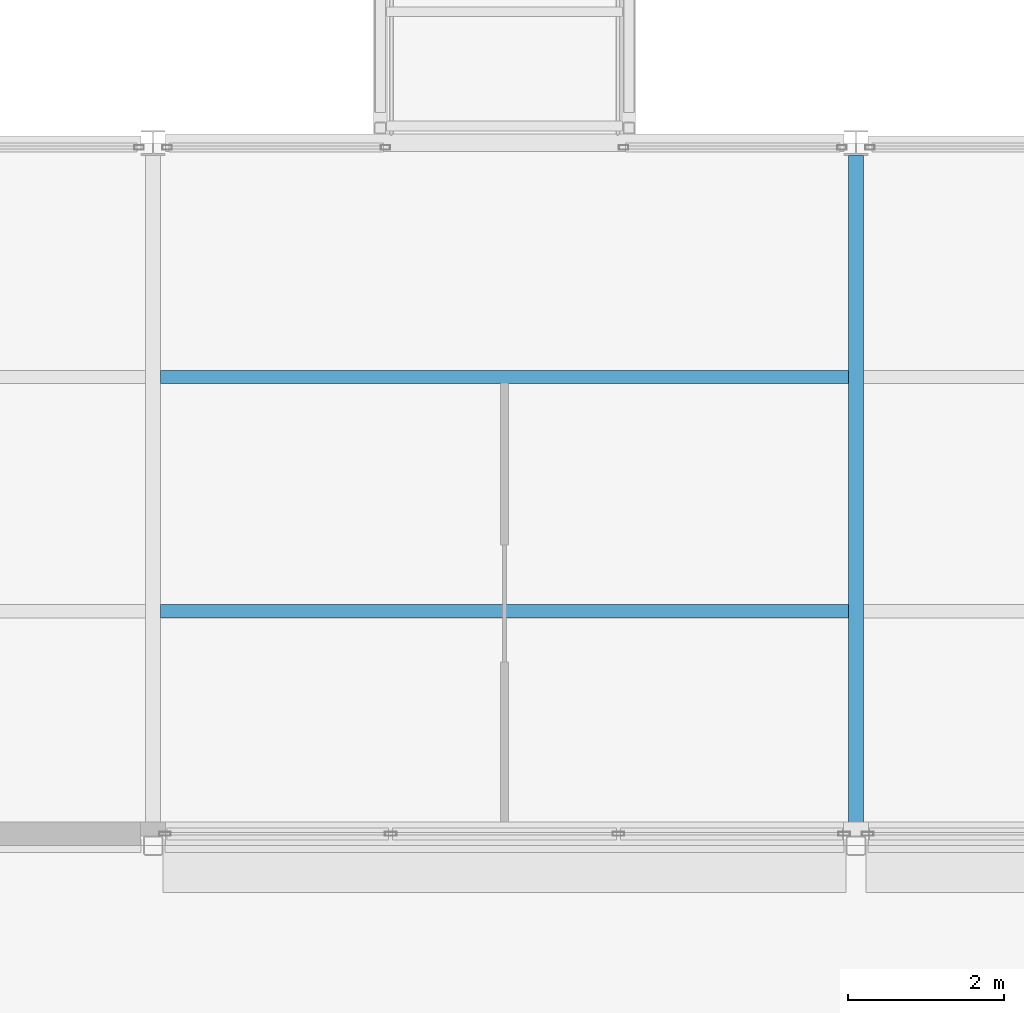
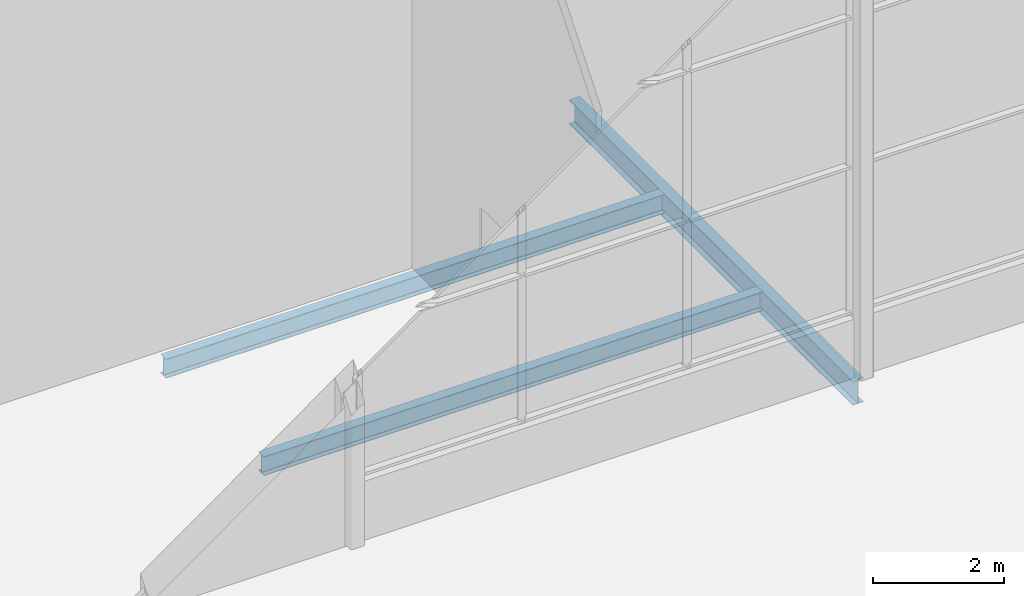
# One storey, part 22 of 111: 3 beams.
"""IFC4 building model written with IfcOpenShell, lengths in metres."""

from ifc_helpers import new_model, si_unit, direction, frame, origin, origin_2d, place, context, subcontext, project, spatial, i_section, extrude, material, material_profile, profile_set, type_object, element, save


model = new_model("IFC4")

# Units and contexts
model_context = context("Model", 3, precision=1e-05, world=origin(), true_north=direction((0.0, 1.0)))
body_context = subcontext(model_context, "Body", "Model", "MODEL_VIEW")
ifc_project = project(units=[si_unit("LENGTHUNIT", "METRE"), si_unit("AREAUNIT", "SQUARE_METRE"), si_unit("VOLUMEUNIT", "CUBIC_METRE"), si_unit("PLANEANGLEUNIT", "RADIAN"), si_unit("MASSUNIT", "GRAM", prefix="KILO")], contexts=[model_context])

# Site, building, storey
site_placement = place(None, origin())
site = spatial("IfcSite", under=ifc_project, at=site_placement, CompositionType="ELEMENT")
building_placement = place(site_placement, origin())
building = spatial("IfcBuilding", under=site, at=building_placement, Name="Shorebreak Coast Museum", CompositionType="ELEMENT")
storey_placement = place(building_placement, frame((0.0, 0.0, 16.0)))
storey = spatial("IfcBuildingStorey", under=building, at=storey_placement, Name="L03", CompositionType="ELEMENT", Elevation=16.0)

# Beams
ifc_material_1 = material(Name="Steel Grade 300", Category="steel")
ifc_material_profile_1 = material_profile(ifc_material_1, i_section(OverallWidth=0.18994140625, OverallDepth=0.453857421875, WebThickness=0.008544921875, FlangeThickness=0.0126953125, FilletRadius=0.011474609375, at=origin_2d()), Name="460UB67.1")
ifc_profile_set_1 = profile_set([ifc_material_profile_1], Name="Steel Grade 300")
beam_type_1 = type_object("IfcBeamType", Name="Floor girder north-south 460UB67.1", PredefinedType="BEAM", material=ifc_profile_set_1)
beam_placement = place(storey_placement, frame((90.0, 54.1572265625, -0.40185546875), z_axis=(0.0, 1.0, 0.0), x_axis=(-1.0, 0.0, 0.0)))
element("IfcBeam", 1, at=beam_placement, inside=storey, type_object=beam_type_1, Name="Floor girder north-south L03 11G", PredefinedType="BEAM", context=body_context, shape_type="SweptSolid", body=[
    extrude(i_section(OverallWidth=0.18994140625, OverallDepth=0.453857421875, WebThickness=0.008544921875, FlangeThickness=0.0126953125, FilletRadius=0.011474609375, at=origin_2d()), origin(), (0.0, 0.0, 1.0), 8.67919921875),
])
ifc_material_2 = material(Name="Steel Grade 300", Category="steel")
ifc_material_profile_2 = material_profile(ifc_material_2, i_section(OverallWidth=0.1708984375, OverallDepth=0.355712890625, WebThickness=0.00732421875, FlangeThickness=0.011474609375, FilletRadius=0.011474609375, at=origin_2d()), Name="360UB50.7")
ifc_profile_set_2 = profile_set([ifc_material_profile_2], Name="Steel Grade 300")
beam_type_2 = type_object("IfcBeamType", Name="Floor joist 360UB50.7", PredefinedType="JOIST", material=ifc_profile_set_2)
for number, where, z_axis, x_axis, name in (
    (2, (81.094970703125, 57.0, -0.352783203125), (1.0, 0.0, 0.0), (0.0, 1.0, 0.0), "Floor joist L03 bay 10G at 3000 mm"),
    (3, (81.094970703125, 60.0, -0.352783203125), (1.0, 0.0, 0.0), (0.0, 1.0, 0.0), "Floor joist L03 bay 10G at 6000 mm"),
):
    element("IfcBeam", number, at=place(storey_placement, frame(where, z_axis=z_axis, x_axis=x_axis)), inside=storey, type_object=beam_type_2, Name=name, PredefinedType="JOIST", context=body_context, shape_type="SweptSolid", body=[
        extrude(i_section(OverallWidth=0.1708984375, OverallDepth=0.355712890625, WebThickness=0.00732421875, FlangeThickness=0.011474609375, FilletRadius=0.011474609375, at=origin_2d()), origin(), (0.0, 0.0, 1.0), 8.81005859375),
    ])

save(model, "model.ifc")
